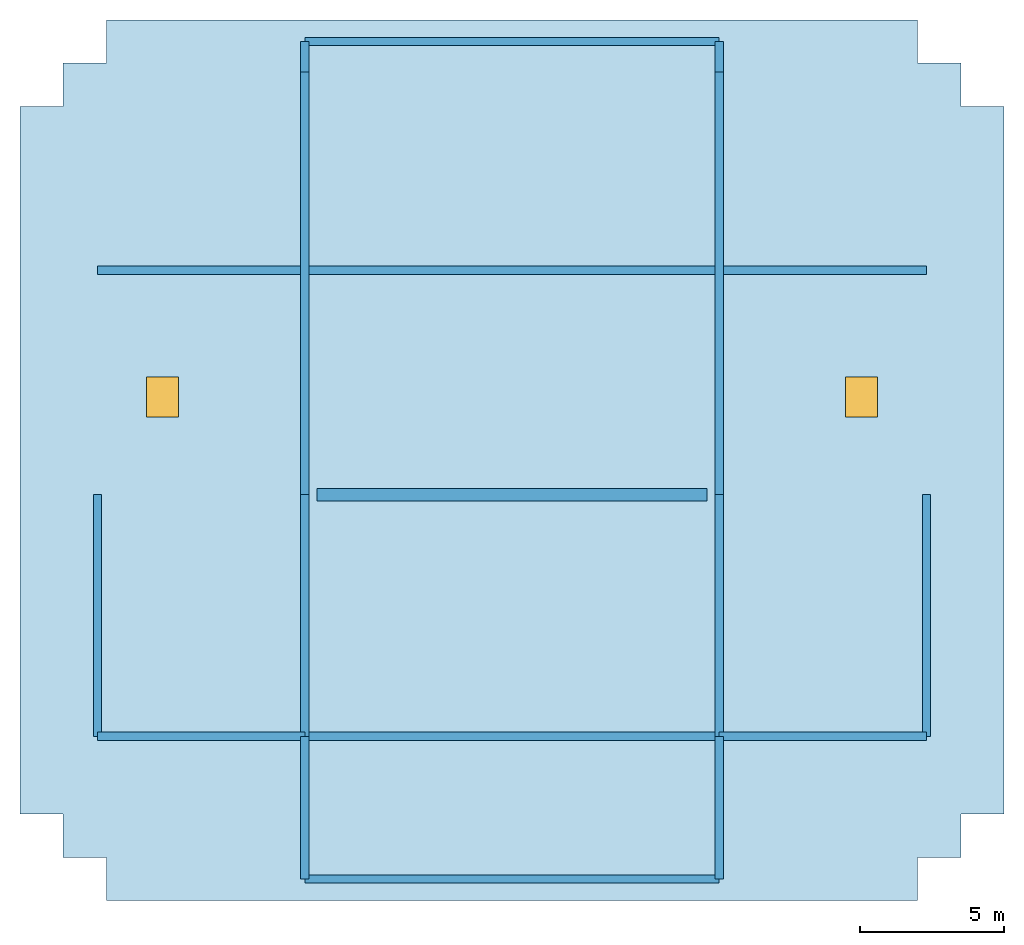
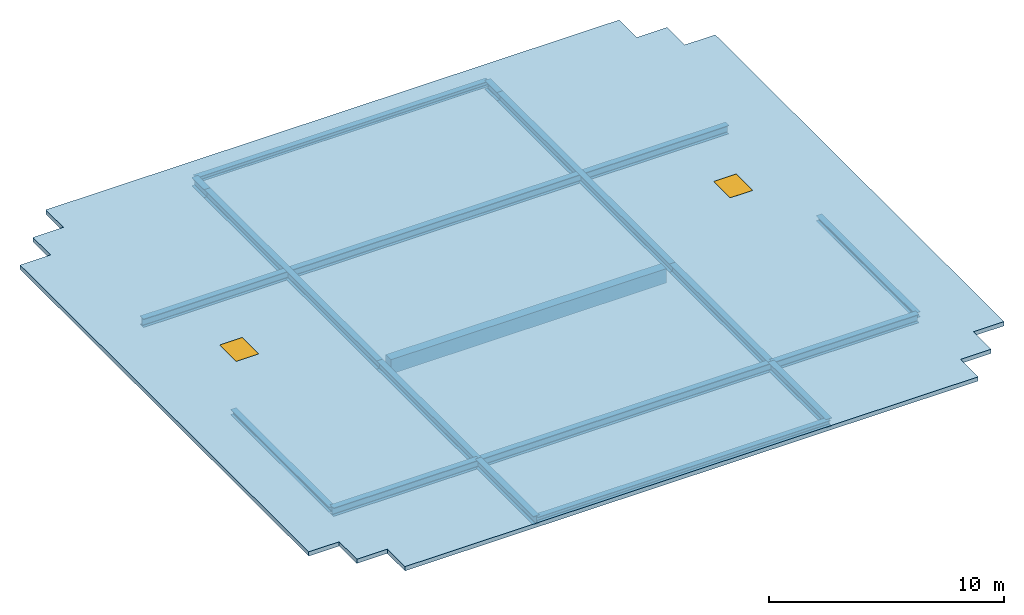
# One storey: 17 beams, 2 windows, 1 slab, 2 openings.
"""IFC4 building model written with IfcOpenShell, lengths in metres."""

from ifc_helpers import new_model, si_unit, direction, frame, origin, origin_2d, place, context, subcontext, project, spatial, polyline, rectangle, i_section, outline, extrude, material, layer, layer_set, material_profile, profile_set, type_object, element, fill, save


model = new_model("IFC4")

# Units and contexts
model_context = context("Model", 3, precision=1e-05, world=origin(), true_north=direction((0.0, 1.0)))
body_context = subcontext(model_context, "Body", "Model", "MODEL_VIEW")
ifc_project = project(units=[si_unit("LENGTHUNIT", "METRE"), si_unit("AREAUNIT", "SQUARE_METRE"), si_unit("VOLUMEUNIT", "CUBIC_METRE"), si_unit("PLANEANGLEUNIT", "RADIAN"), si_unit("MASSUNIT", "GRAM", prefix="KILO")], contexts=[model_context])

# Site, building, storey
site_placement = place(None, origin())
site = spatial("IfcSite", under=ifc_project, at=site_placement, CompositionType="ELEMENT")
building_placement = place(site_placement, origin())
building = spatial("IfcBuilding", under=site, at=building_placement, Name="Zarnakvel Exchange Tower", CompositionType="ELEMENT")
storey_placement = place(building_placement, frame((0.0, 0.0, 303.800048828125)))
storey = spatial("IfcBuildingStorey", under=building, at=storey_placement, Name="RF", CompositionType="ELEMENT", Elevation=303.800048828125)

# Beams
ifc_material_1 = material(Name="Concrete C50/60", Category="concrete")
ifc_material_profile_1 = material_profile(ifc_material_1, rectangle(XDim=0.449951171875, YDim=0.75, at=origin_2d()))
ifc_profile_set_1 = profile_set([ifc_material_profile_1], Name="Concrete C50/60")
beam_type_1 = type_object("IfcBeamType", Name="CB-03", PredefinedType="LINTEL", material=ifc_profile_set_1)
beam_1_placement = place(storey_placement, frame((-6.77490234375, -1.199951171875, -0.594970703125), z_axis=(1.0, 0.0, 0.0), x_axis=(0.0, 1.0, 0.0)))
element("IfcBeam", 1, at=beam_1_placement, inside=storey, type_object=beam_type_1, Name="RF Rear Core South Coupling Beam (CB-03)", PredefinedType="LINTEL", context=body_context, shape_type="SweptSolid", body=[
    extrude(rectangle(XDim=0.449951171875, YDim=0.75, at=origin_2d()), origin(), (0.0, 0.0, 1.0), 13.5498046875),
])
ifc_material_2 = material(Name="Steel S355", Category="steel")
ifc_material_profile_2 = material_profile(ifc_material_2, i_section(OverallWidth=0.300048828125, OverallDepth=0.449951171875, WebThickness=0.013916015625, FlangeThickness=0.02587890625, FilletRadius=0.027099609375, at=origin_2d()))
ifc_profile_set_2 = profile_set([ifc_material_profile_2], Name="Steel S355")
beam_type_2 = type_object("IfcBeamType", Name="G-07", PredefinedType="BEAM", material=ifc_profile_set_2)
beam_2_placement = place(storey_placement, frame((-14.39990234375, -9.60009765625, -0.445068359375), z_axis=(1.0, 0.0, 0.0), x_axis=(0.0, 1.0, 0.0)))
element("IfcBeam", 2, at=beam_2_placement, inside=storey, type_object=beam_type_2, Name="RF Tower E-W Frame Beam", PredefinedType="BEAM", context=body_context, shape_type="SweptSolid", body=[
    extrude(i_section(OverallWidth=0.300048828125, OverallDepth=0.449951171875, WebThickness=0.013916015625, FlangeThickness=0.02587890625, FilletRadius=0.027099609375, at=origin_2d()), origin(), (0.0, 0.0, 1.0), 7.199951171875),
])
beam_3_placement = place(storey_placement, frame((-7.199951171875, -9.60009765625, -0.445068359375), z_axis=(1.0, 0.0, 0.0), x_axis=(0.0, 1.0, 0.0)))
element("IfcBeam", 3, at=beam_3_placement, inside=storey, type_object=beam_type_2, Name="RF Tower E-W Frame Beam", PredefinedType="BEAM", context=body_context, shape_type="SweptSolid", body=[
    extrude(i_section(OverallWidth=0.300048828125, OverallDepth=0.449951171875, WebThickness=0.013916015625, FlangeThickness=0.02587890625, FilletRadius=0.027099609375, at=origin_2d()), origin(), (0.0, 0.0, 1.0), 14.39990234375),
])
beam_4_placement = place(storey_placement, frame((7.199951171875, -9.60009765625, -0.445068359375), z_axis=(1.0, 0.0, 0.0), x_axis=(0.0, 1.0, 0.0)))
element("IfcBeam", 4, at=beam_4_placement, inside=storey, type_object=beam_type_2, Name="RF Tower E-W Frame Beam", PredefinedType="BEAM", context=body_context, shape_type="SweptSolid", body=[
    extrude(i_section(OverallWidth=0.300048828125, OverallDepth=0.449951171875, WebThickness=0.013916015625, FlangeThickness=0.02587890625, FilletRadius=0.027099609375, at=origin_2d()), origin(), (0.0, 0.0, 1.0), 7.199951171875),
])
beam_5_placement = place(storey_placement, frame((-14.39990234375, 6.60009765625, -0.445068359375), z_axis=(1.0, 0.0, 0.0), x_axis=(0.0, 1.0, 0.0)))
element("IfcBeam", 5, at=beam_5_placement, inside=storey, type_object=beam_type_2, Name="RF Tower E-W Frame Beam", PredefinedType="BEAM", context=body_context, shape_type="SweptSolid", body=[
    extrude(i_section(OverallWidth=0.300048828125, OverallDepth=0.449951171875, WebThickness=0.013916015625, FlangeThickness=0.02587890625, FilletRadius=0.027099609375, at=origin_2d()), origin(), (0.0, 0.0, 1.0), 28.7998046875),
])
beam_6_placement = place(storey_placement, frame((-7.199951171875, -14.550048828125, -0.445068359375), z_axis=(0.0, 1.0, 0.0), x_axis=(-1.0, 0.0, 0.0)))
element("IfcBeam", 6, at=beam_6_placement, inside=storey, type_object=beam_type_2, Name="RF Tower N-S Frame Beam", PredefinedType="BEAM", context=body_context, shape_type="SweptSolid", body=[
    extrude(i_section(OverallWidth=0.300048828125, OverallDepth=0.449951171875, WebThickness=0.013916015625, FlangeThickness=0.02587890625, FilletRadius=0.027099609375, at=origin_2d()), origin(), (0.0, 0.0, 1.0), 4.949951171875),
])
beam_7_placement = place(storey_placement, frame((-7.199951171875, -9.60009765625, -0.445068359375), z_axis=(0.0, 1.0, 0.0), x_axis=(-1.0, 0.0, 0.0)))
element("IfcBeam", 7, at=beam_7_placement, inside=storey, type_object=beam_type_2, Name="RF Tower N-S Frame Beam", PredefinedType="BEAM", context=body_context, shape_type="SweptSolid", body=[
    extrude(i_section(OverallWidth=0.300048828125, OverallDepth=0.449951171875, WebThickness=0.013916015625, FlangeThickness=0.02587890625, FilletRadius=0.027099609375, at=origin_2d()), origin(), (0.0, 0.0, 1.0), 8.400146484375),
])
beam_8_placement = place(storey_placement, frame((-7.199951171875, -1.199951171875, -0.445068359375), z_axis=(0.0, 1.0, 0.0), x_axis=(-1.0, 0.0, 0.0)))
element("IfcBeam", 8, at=beam_8_placement, inside=storey, type_object=beam_type_2, Name="RF Tower N-S Frame Beam", PredefinedType="BEAM", context=body_context, shape_type="SweptSolid", body=[
    extrude(i_section(OverallWidth=0.300048828125, OverallDepth=0.449951171875, WebThickness=0.013916015625, FlangeThickness=0.02587890625, FilletRadius=0.027099609375, at=origin_2d()), origin(), (0.0, 0.0, 1.0), 14.699951171875),
])
beam_9_placement = place(storey_placement, frame((-7.199951171875, 13.5, -0.445068359375), z_axis=(0.0, 1.0, 0.0), x_axis=(-1.0, 0.0, 0.0)))
element("IfcBeam", 9, at=beam_9_placement, inside=storey, type_object=beam_type_2, Name="RF Tower N-S Frame Beam", PredefinedType="BEAM", context=body_context, shape_type="SweptSolid", body=[
    extrude(i_section(OverallWidth=0.300048828125, OverallDepth=0.449951171875, WebThickness=0.013916015625, FlangeThickness=0.02587890625, FilletRadius=0.027099609375, at=origin_2d()), origin(), (0.0, 0.0, 1.0), 1.050048828125),
])
beam_10_placement = place(storey_placement, frame((7.199951171875, -14.550048828125, -0.445068359375), z_axis=(0.0, 1.0, 0.0), x_axis=(-1.0, 0.0, 0.0)))
element("IfcBeam", 10, at=beam_10_placement, inside=storey, type_object=beam_type_2, Name="RF Tower N-S Frame Beam", PredefinedType="BEAM", context=body_context, shape_type="SweptSolid", body=[
    extrude(i_section(OverallWidth=0.300048828125, OverallDepth=0.449951171875, WebThickness=0.013916015625, FlangeThickness=0.02587890625, FilletRadius=0.027099609375, at=origin_2d()), origin(), (0.0, 0.0, 1.0), 4.949951171875),
])
beam_11_placement = place(storey_placement, frame((7.199951171875, -9.60009765625, -0.445068359375), z_axis=(0.0, 1.0, 0.0), x_axis=(-1.0, 0.0, 0.0)))
element("IfcBeam", 11, at=beam_11_placement, inside=storey, type_object=beam_type_2, Name="RF Tower N-S Frame Beam", PredefinedType="BEAM", context=body_context, shape_type="SweptSolid", body=[
    extrude(i_section(OverallWidth=0.300048828125, OverallDepth=0.449951171875, WebThickness=0.013916015625, FlangeThickness=0.02587890625, FilletRadius=0.027099609375, at=origin_2d()), origin(), (0.0, 0.0, 1.0), 8.400146484375),
])
beam_12_placement = place(storey_placement, frame((7.199951171875, -1.199951171875, -0.445068359375), z_axis=(0.0, 1.0, 0.0), x_axis=(-1.0, 0.0, 0.0)))
element("IfcBeam", 12, at=beam_12_placement, inside=storey, type_object=beam_type_2, Name="RF Tower N-S Frame Beam", PredefinedType="BEAM", context=body_context, shape_type="SweptSolid", body=[
    extrude(i_section(OverallWidth=0.300048828125, OverallDepth=0.449951171875, WebThickness=0.013916015625, FlangeThickness=0.02587890625, FilletRadius=0.027099609375, at=origin_2d()), origin(), (0.0, 0.0, 1.0), 14.699951171875),
])
beam_13_placement = place(storey_placement, frame((7.199951171875, 13.5, -0.445068359375), z_axis=(0.0, 1.0, 0.0), x_axis=(-1.0, 0.0, 0.0)))
element("IfcBeam", 13, at=beam_13_placement, inside=storey, type_object=beam_type_2, Name="RF Tower N-S Frame Beam", PredefinedType="BEAM", context=body_context, shape_type="SweptSolid", body=[
    extrude(i_section(OverallWidth=0.300048828125, OverallDepth=0.449951171875, WebThickness=0.013916015625, FlangeThickness=0.02587890625, FilletRadius=0.027099609375, at=origin_2d()), origin(), (0.0, 0.0, 1.0), 1.050048828125),
])
ifc_material_profile_3 = material_profile(ifc_material_2, i_section(OverallWidth=0.280029296875, OverallDepth=0.280029296875, WebThickness=0.010498046875, FlangeThickness=0.01806640625, FilletRadius=0.02392578125, at=origin_2d()))
ifc_profile_set_3 = profile_set([ifc_material_profile_3], Name="Steel S355")
beam_type_3 = type_object("IfcBeamType", Name="SP-04", PredefinedType="SPANDREL", material=ifc_profile_set_3)
for number, where, z_axis, x_axis, name in (
    (14, (-7.199951171875, -14.550048828125, -0.360107421875), (1.0, 0.0, 0.0), (0.0, 1.0, 0.0), "RF Tower E-W Frame Beam"),
    (15, (-7.199951171875, 14.550048828125, -0.360107421875), (1.0, 0.0, 0.0), (0.0, 1.0, 0.0), "RF Tower E-W Frame Beam"),
):
    element("IfcBeam", number, at=place(storey_placement, frame(where, z_axis=z_axis, x_axis=x_axis)), inside=storey, type_object=beam_type_3, Name=name, PredefinedType="SPANDREL", context=body_context, shape_type="SweptSolid", body=[
        extrude(i_section(OverallWidth=0.280029296875, OverallDepth=0.280029296875, WebThickness=0.010498046875, FlangeThickness=0.01806640625, FilletRadius=0.02392578125, at=origin_2d()), origin(), (0.0, 0.0, 1.0), 14.39990234375),
    ])
for number, where, z_axis, x_axis, name in (
    (16, (-14.39990234375, -9.60009765625, -0.360107421875), (0.0, 1.0, 0.0), (-1.0, 0.0, 0.0), "RF Tower N-S Frame Beam"),
    (17, (14.39990234375, -9.60009765625, -0.360107421875), (0.0, 1.0, 0.0), (-1.0, 0.0, 0.0), "RF Tower N-S Frame Beam"),
):
    element("IfcBeam", number, at=place(storey_placement, frame(where, z_axis=z_axis, x_axis=x_axis)), inside=storey, type_object=beam_type_3, Name=name, PredefinedType="SPANDREL", context=body_context, shape_type="SweptSolid", body=[
        extrude(i_section(OverallWidth=0.280029296875, OverallDepth=0.280029296875, WebThickness=0.010498046875, FlangeThickness=0.01806640625, FilletRadius=0.02392578125, at=origin_2d()), origin(), (0.0, 0.0, 1.0), 8.400146484375),
    ])

# Slab, openings, windows
ifc_material_3 = material(Name="Concrete C40/50", Category="concrete")
ifc_layer = layer(ifc_material_3, 0.219970703125)
ifc_layer_set = layer_set([ifc_layer], Name="Concrete C40/50")
slab_type = type_object("IfcSlabType", Name="RF-SL2", PredefinedType="ROOF", material=ifc_layer_set)
slab_placement = place(storey_placement, frame((0.0, 0.0, -0.219970703125)))
slab = element("IfcSlab", 18, at=slab_placement, inside=storey, type_object=slab_type, Name="RF Main Stepped Crown Cap Roof Slab", PredefinedType="ROOF", context=body_context, shape_type="SweptSolid", body=[
    extrude(outline(polyline([(-17.10009765625, -12.300048828125), (-15.60009765625, -12.300048828125), (-15.60009765625, -13.800048828125), (-14.10009765625, -13.800048828125), (-14.10009765625, -15.300048828125), (14.10009765625, -15.300048828125), (14.10009765625, -13.800048828125), (15.60009765625, -13.800048828125), (15.60009765625, -12.300048828125), (17.10009765625, -12.300048828125), (17.10009765625, 12.300048828125), (15.60009765625, 12.300048828125), (15.60009765625, 13.800048828125), (14.10009765625, 13.800048828125), (14.10009765625, 15.300048828125), (-14.10009765625, 15.300048828125), (-14.10009765625, 13.800048828125), (-15.60009765625, 13.800048828125), (-15.60009765625, 12.300048828125), (-17.10009765625, 12.300048828125), (-17.10009765625, -12.300048828125)])), origin(), (0.0, 0.0, 1.0), 0.219970703125),
])
opening_1_placement = place(slab_placement, frame((-12.14990234375, 2.199951171875, 0.0)))
opening_1 = element("IfcOpeningElement", 19, at=opening_1_placement, cuts=slab, Name="Opening RH-01", PredefinedType="OPENING", context=body_context, shape_type="SweptSolid", body=[
    extrude(rectangle(XDim=1.10009765625, YDim=1.39990234375, at=origin_2d()), origin(), (0.0, 0.0, 1.0), 0.239990234375),
])
opening_2_placement = place(slab_placement, frame((12.14990234375, 2.199951171875, 0.0)))
opening_2 = element("IfcOpeningElement", 20, at=opening_2_placement, cuts=slab, Name="Opening RH-02", PredefinedType="OPENING", context=body_context, shape_type="SweptSolid", body=[
    extrude(rectangle(XDim=1.10009765625, YDim=1.39990234375, at=origin_2d()), origin(), (0.0, 0.0, 1.0), 0.239990234375),
])
ifc_material_4 = material(Name="Galvanised Steel S355", Category="steel")
window_type = type_object("IfcWindowType", Name="RHT-01", PartitioningType="SINGLE_PANEL", PredefinedType="SKYLIGHT", material=ifc_material_4)
window_1_placement = place(opening_1_placement, frame((0.0, 0.0, 0.169921875)))
window_1 = element("IfcWindow", 21, at=window_1_placement, inside=storey, type_object=window_type, Name="RF Roof Maintenance Access Hatch RH-01", OverallHeight=1.39990234375, OverallWidth=1.10009765625, PartitioningType="SINGLE_PANEL", PredefinedType="SKYLIGHT", context=body_context, shape_type="SweptSolid", body=[
    extrude(rectangle(XDim=1.10009765625, YDim=1.39990234375, at=origin_2d()), origin(), (0.0, 0.0, 1.0), 0.050048828125),
])
fill(opening_1, window_1)
window_2_placement = place(opening_2_placement, frame((0.0, 0.0, 0.169921875)))
window_2 = element("IfcWindow", 22, at=window_2_placement, inside=storey, type_object=window_type, Name="RF Roof Maintenance Access Hatch RH-02", OverallHeight=1.39990234375, OverallWidth=1.10009765625, PartitioningType="SINGLE_PANEL", PredefinedType="SKYLIGHT", context=body_context, shape_type="SweptSolid", body=[
    extrude(rectangle(XDim=1.10009765625, YDim=1.39990234375, at=origin_2d()), origin(), (0.0, 0.0, 1.0), 0.050048828125),
])
fill(opening_2, window_2)

save(model, "model.ifc")
